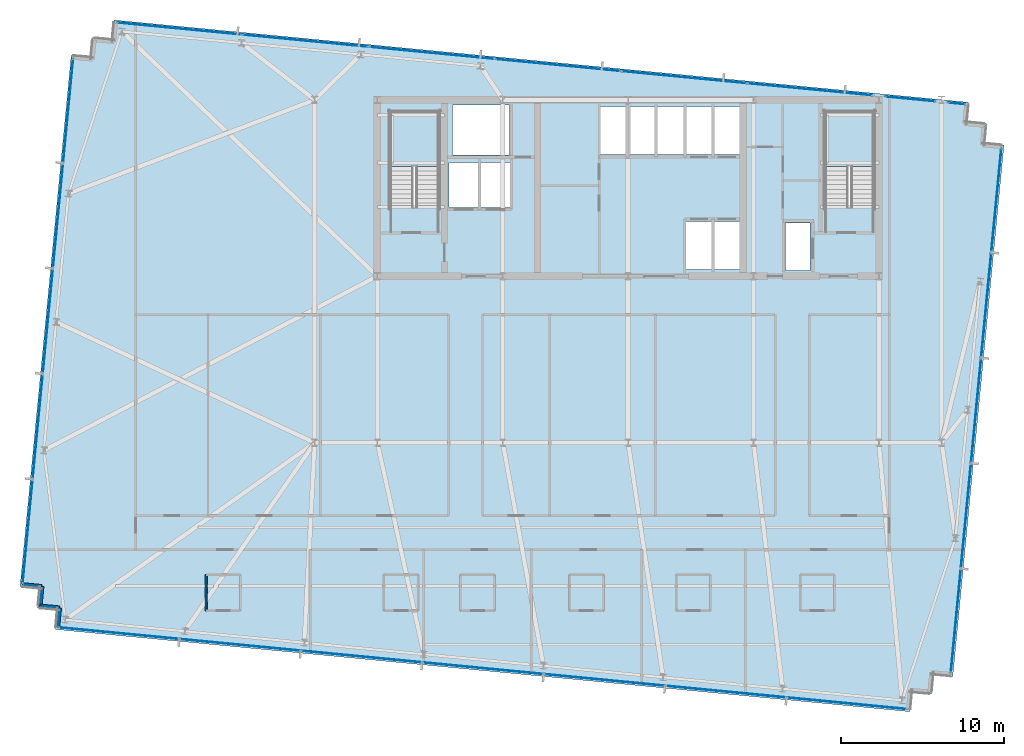
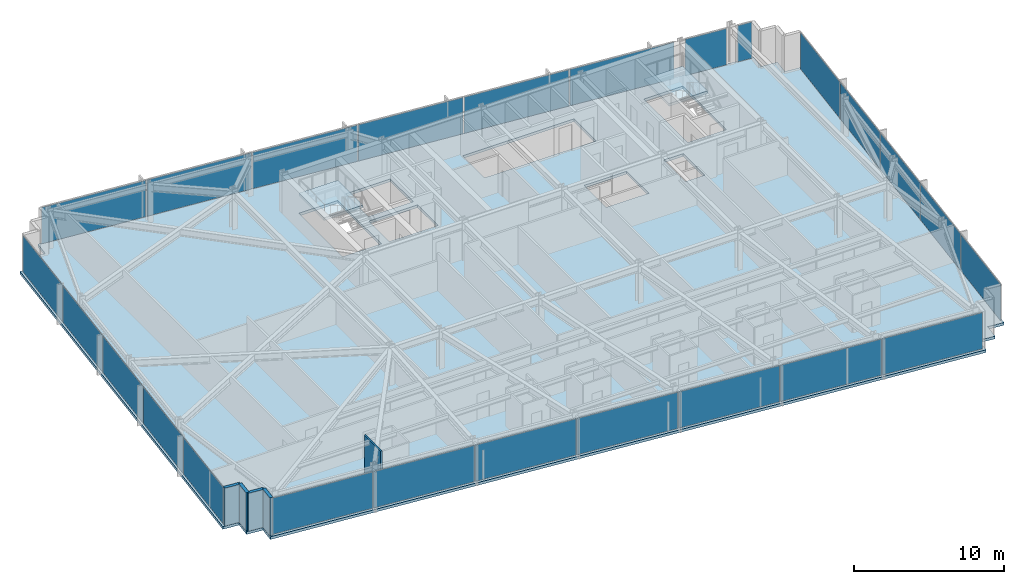
# One storey, part 28 of 36: 25 plates, 5 walls, 3 slabs, 8 elements without a shape of their own.
"""IFC4 building model written with IfcOpenShell, lengths in metres."""

from ifc_helpers import new_model, si_unit, direction, frame, frame_2d, origin, origin_2d, place, context, subcontext, project, spatial, polyline, rectangle, outline, extrude, material, layer, layer_set, type_object, element, aggregate, save


model = new_model("IFC4")

# Units and contexts
model_context = context("Model", 3, precision=1e-05, world=origin(), true_north=direction((0.0, 1.0)))
body_context = subcontext(model_context, "Body", "Model", "MODEL_VIEW")
ifc_project = project(units=[si_unit("LENGTHUNIT", "METRE"), si_unit("AREAUNIT", "SQUARE_METRE"), si_unit("VOLUMEUNIT", "CUBIC_METRE"), si_unit("PLANEANGLEUNIT", "RADIAN"), si_unit("MASSUNIT", "GRAM", prefix="KILO")], contexts=[model_context])

# Site, building, storey
site_placement = place(None, origin())
site = spatial("IfcSite", under=ifc_project, at=site_placement, CompositionType="ELEMENT")
building_placement = place(site_placement, origin())
building = spatial("IfcBuilding", under=site, at=building_placement, Name="Yelkora Congress Tower", CompositionType="ELEMENT")
storey_placement = place(building_placement, frame((0.0, 0.0, 152.300048828125)))
storey = spatial("IfcBuildingStorey", under=building, at=storey_placement, Name="L41", CompositionType="ELEMENT", Elevation=152.300048828125)

# Curtain wall, plates
ifc_material_1 = material(Name="Anodised aluminium and insulated glass", Category="aluminium")
curtain_wall_type = type_object("IfcCurtainWallType", Name="CW-SYS-B3", PredefinedType="NOTDEFINED", material=ifc_material_1)
curtain_wall_1_placement = place(storey_placement, origin())
curtain_wall_1 = element("IfcCurtainWall", 1, at=curtain_wall_1_placement, inside=storey, type_object=curtain_wall_type, Name="L41 Unitised Curtain Wall 5", PredefinedType="NOTDEFINED")
ifc_material_2 = material(Name="Acoustic laminated hotel glass unit B3", Category="glass")
ifc_layer_1 = layer(ifc_material_2, 0.0419921875)
ifc_layer_set_1 = layer_set([ifc_layer_1], Name="Acoustic laminated hotel glass unit B3")
plate_type = type_object("IfcPlateType", Name="PLT-PN-B3", PredefinedType="CURTAIN_PANEL", material=ifc_layer_set_1)
plate_1_placement = place(storey_placement, frame((1.61572265625, 19.75244140625, 0.06005859375), z_axis=(0.0, 0.0, 1.0), x_axis=(0.095845294465, 0.995396242473, 0.0)))
plate_1 = element("IfcPlate", 2, at=plate_1_placement, type_object=plate_type, Name="CW-B3 panel 1.1", PredefinedType="CURTAIN_PANEL", context=body_context, shape_type="SweptSolid", body=[
    extrude(rectangle(XDim=6.37890625, YDim=0.0419921875, at=origin_2d()), origin(), (0.0, 0.0, 1.0), 2.9599609375),
])
plate_2_placement = place(storey_placement, frame((2.235595703125, 26.189208984375, 0.06005859375), z_axis=(0.0, 0.0, 1.0), x_axis=(0.095845294465, 0.995396242473, 0.0)))
plate_2 = element("IfcPlate", 3, at=plate_2_placement, type_object=plate_type, Name="CW-B3 panel 2.1", PredefinedType="CURTAIN_PANEL", context=body_context, shape_type="SweptSolid", body=[
    extrude(rectangle(XDim=6.4140625, YDim=0.0419921875, at=origin_2d()), origin(), (0.0, 0.0, 1.0), 2.9599609375),
])
plate_3_placement = place(storey_placement, frame((2.85693359375, 32.643310546875, 0.06005859375), z_axis=(0.0, 0.0, 1.0), x_axis=(0.095845294465, 0.995396242473, 0.0)))
plate_3 = element("IfcPlate", 4, at=plate_3_placement, type_object=plate_type, Name="CW-B3 panel 3.1", PredefinedType="CURTAIN_PANEL", context=body_context, shape_type="SweptSolid", body=[
    extrude(rectangle(XDim=6.4140625, YDim=0.0419921875, at=origin_2d()), origin(), (0.0, 0.0, 1.0), 2.9599609375),
])
plate_4_placement = place(storey_placement, frame((3.478515625, 39.097412109375, 0.06005859375), z_axis=(0.0, 0.0, 1.0), x_axis=(0.095845294465, 0.995396242473, 0.0)))
plate_4 = element("IfcPlate", 5, at=plate_4_placement, type_object=plate_type, Name="CW-B3 panel 4.1", PredefinedType="CURTAIN_PANEL", context=body_context, shape_type="SweptSolid", body=[
    extrude(rectangle(XDim=6.4140625, YDim=0.0419921875, at=origin_2d()), origin(), (0.0, 0.0, 1.0), 2.9599609375),
])
plate_5_placement = place(storey_placement, frame((4.09814453125, 45.5341796875, 0.06005859375), z_axis=(0.0, 0.0, 1.0), x_axis=(0.095845294465, 0.995396242473, 0.0)))
plate_5 = element("IfcPlate", 6, at=plate_5_placement, type_object=plate_type, Name="CW-B3 panel 5.1", PredefinedType="CURTAIN_PANEL", context=body_context, shape_type="SweptSolid", body=[
    extrude(rectangle(XDim=6.37890625, YDim=0.0419921875, at=origin_2d()), origin(), (0.0, 0.0, 1.0), 2.9599609375),
])
aggregate(curtain_wall_1, [plate_1, plate_2, plate_3, plate_4, plate_5])

curtain_wall_2_placement = place(storey_placement, origin())
curtain_wall_2 = element("IfcCurtainWall", 7, at=curtain_wall_2_placement, inside=storey, type_object=curtain_wall_type, Name="L41 Unitised Curtain Wall 10 (1)", PredefinedType="NOTDEFINED")
plate_6_placement = place(storey_placement, frame((10.913818359375, 50.5634765625, 0.06005859375), z_axis=(0.0, 0.0, 1.0), x_axis=(0.995396293823, -0.095844761168, 0.0)))
plate_6 = element("IfcPlate", 8, at=plate_6_placement, type_object=plate_type, Name="CW-B3 panel 1.1", PredefinedType="CURTAIN_PANEL", context=body_context, shape_type="SweptSolid", body=[
    extrude(rectangle(XDim=7.664306640625, YDim=0.0419921875, at=origin_2d()), origin(), (0.0, 0.0, 1.0), 2.9599609375),
])
plate_7_placement = place(storey_placement, frame((18.6298828125, 49.820556640625, 0.06005859375), z_axis=(0.0, 0.0, 1.0), x_axis=(0.995396293823, -0.095844761168, 0.0)))
plate_7 = element("IfcPlate", 9, at=plate_7_placement, type_object=plate_type, Name="CW-B3 panel 2.1", PredefinedType="CURTAIN_PANEL", context=body_context, shape_type="SweptSolid", body=[
    extrude(rectangle(XDim=7.69921875, YDim=0.0419921875, at=origin_2d()), origin(), (0.0, 0.0, 1.0), 2.9599609375),
])
plate_8_placement = place(storey_placement, frame((26.363525390625, 49.075927734375, 0.06005859375), z_axis=(0.0, 0.0, 1.0), x_axis=(0.995396293823, -0.095844761168, 0.0)))
plate_8 = element("IfcPlate", 10, at=plate_8_placement, type_object=plate_type, Name="CW-B3 panel 3.1", PredefinedType="CURTAIN_PANEL", context=body_context, shape_type="SweptSolid", body=[
    extrude(rectangle(XDim=7.69921875, YDim=0.0419921875, at=origin_2d()), origin(), (0.0, 0.0, 1.0), 2.9599609375),
])
plate_9_placement = place(storey_placement, frame((34.09716796875, 48.331298828125, 0.06005859375), z_axis=(0.0, 0.0, 1.0), x_axis=(0.995396293823, -0.095844761168, 0.0)))
plate_9 = element("IfcPlate", 11, at=plate_9_placement, type_object=plate_type, Name="CW-B3 panel 4.1", PredefinedType="CURTAIN_PANEL", context=body_context, shape_type="SweptSolid", body=[
    extrude(rectangle(XDim=7.69921875, YDim=0.0419921875, at=origin_2d()), origin(), (0.0, 0.0, 1.0), 2.9599609375),
])
plate_10_placement = place(storey_placement, frame((41.83056640625, 47.586669921875, 0.06005859375), z_axis=(0.0, 0.0, 1.0), x_axis=(0.995396293823, -0.095844761168, 0.0)))
plate_10 = element("IfcPlate", 12, at=plate_10_placement, type_object=plate_type, Name="CW-B3 panel 5.1", PredefinedType="CURTAIN_PANEL", context=body_context, shape_type="SweptSolid", body=[
    extrude(rectangle(XDim=7.69921875, YDim=0.0419921875, at=origin_2d()), origin(), (0.0, 0.0, 1.0), 2.9599609375),
])
plate_11_placement = place(storey_placement, frame((49.546875, 46.84375, 0.06005859375), z_axis=(0.0, 0.0, 1.0), x_axis=(0.995396293823, -0.095844761168, 0.0)))
plate_11 = element("IfcPlate", 13, at=plate_11_placement, type_object=plate_type, Name="CW-B3 panel 6.1", PredefinedType="CURTAIN_PANEL", context=body_context, shape_type="SweptSolid", body=[
    extrude(rectangle(XDim=7.664306640625, YDim=0.0419921875, at=origin_2d()), origin(), (0.0, 0.0, 1.0), 2.9599609375),
])
aggregate(curtain_wall_2, [plate_6, plate_7, plate_8, plate_9, plate_10, plate_11])

# Curtain wall, plate
curtain_wall_3_placement = place(storey_placement, origin())
curtain_wall_3 = element("IfcCurtainWall", 14, at=curtain_wall_3_placement, inside=storey, type_object=curtain_wall_type, Name="L41 Unitised Curtain Wall 10 (2)", PredefinedType="NOTDEFINED")
plate_12_placement = place(storey_placement, frame((55.679931640625, 46.253173828125, 0.06005859375), z_axis=(0.0, 0.0, 1.0), x_axis=(0.995395952188, -0.095848309157, 0.0)))
plate_12 = element("IfcPlate", 15, at=plate_12_placement, type_object=plate_type, Name="CW-B3 panel 1.1", PredefinedType="CURTAIN_PANEL", context=body_context, shape_type="SweptSolid", body=[
    extrude(rectangle(XDim=3.056640625, YDim=0.0419921875, at=origin_2d()), origin(), (0.0, 0.0, 1.0), 2.9599609375),
])
aggregate(curtain_wall_3, [plate_12])

curtain_wall_4_placement = place(storey_placement, origin())
curtain_wall_4 = element("IfcCurtainWall", 16, at=curtain_wall_4_placement, inside=storey, type_object=curtain_wall_type, Name="L41 Unitised Curtain Wall 10 (3)", PredefinedType="NOTDEFINED")
plate_13_placement = place(storey_placement, frame((58.518798828125, 45.979736328125, 0.06005859375), z_axis=(0.0, 0.0, 1.0), x_axis=(0.995395569658, -0.095852281686, 0.0)))
plate_13 = element("IfcPlate", 17, at=plate_13_placement, type_object=plate_type, Name="CW-B3 panel 1.1", PredefinedType="CURTAIN_PANEL", context=body_context, shape_type="SweptSolid", body=[
    extrude(rectangle(XDim=1.045166015625, YDim=0.0419921875, at=origin_2d()), origin(), (0.0, 0.0, 1.0), 2.9599609375),
])
aggregate(curtain_wall_4, [plate_13])

# Curtain wall, plates
curtain_wall_5_placement = place(storey_placement, origin())
curtain_wall_5 = element("IfcCurtainWall", 18, at=curtain_wall_5_placement, inside=storey, type_object=curtain_wall_type, Name="L41 Unitised Curtain Wall 15", PredefinedType="NOTDEFINED")
plate_14_placement = place(storey_placement, frame((60.955322265625, 40.0595703125, 0.06005859375), z_axis=(0.0, 0.0, 1.0), x_axis=(-0.095841944023, -0.995396565076, 0.0)))
plate_14 = element("IfcPlate", 19, at=plate_14_placement, type_object=plate_type, Name="CW-B3 panel 1.1", PredefinedType="CURTAIN_PANEL", context=body_context, shape_type="SweptSolid", body=[
    extrude(rectangle(XDim=6.37890625, YDim=0.0419921875, at=origin_2d()), origin(), (0.0, 0.0, 1.0), 2.9599609375),
])
plate_15_placement = place(storey_placement, frame((60.33544921875, 33.622802734375, 0.06005859375), z_axis=(0.0, 0.0, 1.0), x_axis=(-0.095841944023, -0.995396565076, 0.0)))
plate_15 = element("IfcPlate", 20, at=plate_15_placement, type_object=plate_type, Name="CW-B3 panel 2.1", PredefinedType="CURTAIN_PANEL", context=body_context, shape_type="SweptSolid", body=[
    extrude(rectangle(XDim=6.4140625, YDim=0.0419921875, at=origin_2d()), origin(), (0.0, 0.0, 1.0), 2.9599609375),
])
plate_16_placement = place(storey_placement, frame((59.714111328125, 27.168701171875, 0.06005859375), z_axis=(0.0, 0.0, 1.0), x_axis=(-0.095841944023, -0.995396565076, 0.0)))
plate_16 = element("IfcPlate", 21, at=plate_16_placement, type_object=plate_type, Name="CW-B3 panel 3.1", PredefinedType="CURTAIN_PANEL", context=body_context, shape_type="SweptSolid", body=[
    extrude(rectangle(XDim=6.4140625, YDim=0.0419921875, at=origin_2d()), origin(), (0.0, 0.0, 1.0), 2.9599609375),
])
plate_17_placement = place(storey_placement, frame((59.092529296875, 20.71435546875, 0.06005859375), z_axis=(0.0, 0.0, 1.0), x_axis=(-0.095841944023, -0.995396565076, 0.0)))
plate_17 = element("IfcPlate", 22, at=plate_17_placement, type_object=plate_type, Name="CW-B3 panel 4.1", PredefinedType="CURTAIN_PANEL", context=body_context, shape_type="SweptSolid", body=[
    extrude(rectangle(XDim=6.4140625, YDim=0.0419921875, at=origin_2d()), origin(), (0.0, 0.0, 1.0), 2.9599609375),
])
plate_18_placement = place(storey_placement, frame((58.472900390625, 14.277587890625, 0.06005859375), z_axis=(0.0, 0.0, 1.0), x_axis=(-0.095841944023, -0.995396565076, 0.0)))
plate_18 = element("IfcPlate", 23, at=plate_18_placement, type_object=plate_type, Name="CW-B3 panel 5.1", PredefinedType="CURTAIN_PANEL", context=body_context, shape_type="SweptSolid", body=[
    extrude(rectangle(XDim=6.37890625, YDim=0.0419921875, at=origin_2d()), origin(), (0.0, 0.0, 1.0), 2.9599609375),
])
aggregate(curtain_wall_5, [plate_14, plate_15, plate_16, plate_17, plate_18])

curtain_wall_6_placement = place(storey_placement, origin())
curtain_wall_6 = element("IfcCurtainWall", 24, at=curtain_wall_6_placement, inside=storey, type_object=curtain_wall_type, Name="L41 Unitised Curtain Wall 20", PredefinedType="NOTDEFINED")
plate_19_placement = place(storey_placement, frame((51.803955078125, 9.234130859375, 0.06005859375), z_axis=(0.0, 0.0, 1.0), x_axis=(-0.995396301573, 0.095844680679, 0.0)))
plate_19 = element("IfcPlate", 25, at=plate_19_placement, type_object=plate_type, Name="CW-B3 panel 1.1", PredefinedType="CURTAIN_PANEL", context=body_context, shape_type="SweptSolid", body=[
    extrude(rectangle(XDim=7.369384765625, YDim=0.0419921875, at=origin_2d()), origin(), (0.0, 0.0, 1.0), 2.9599609375),
])
plate_20_placement = place(storey_placement, frame((44.381591796875, 9.948974609375, 0.06005859375), z_axis=(0.0, 0.0, 1.0), x_axis=(-0.995396301573, 0.095844680679, 0.0)))
plate_20 = element("IfcPlate", 26, at=plate_20_placement, type_object=plate_type, Name="CW-B3 panel 2.1", PredefinedType="CURTAIN_PANEL", context=body_context, shape_type="SweptSolid", body=[
    extrude(rectangle(XDim=7.404296875, YDim=0.0419921875, at=origin_2d()), origin(), (0.0, 0.0, 1.0), 2.9599609375),
])
plate_21_placement = place(storey_placement, frame((36.941650390625, 10.665283203125, 0.06005859375), z_axis=(0.0, 0.0, 1.0), x_axis=(-0.995396301573, 0.095844680679, 0.0)))
plate_21 = element("IfcPlate", 27, at=plate_21_placement, type_object=plate_type, Name="CW-B3 panel 3.1", PredefinedType="CURTAIN_PANEL", context=body_context, shape_type="SweptSolid", body=[
    extrude(rectangle(XDim=7.404296875, YDim=0.0419921875, at=origin_2d()), origin(), (0.0, 0.0, 1.0), 2.9599609375),
])
plate_22_placement = place(storey_placement, frame((29.501708984375, 11.381591796875, 0.06005859375), z_axis=(0.0, 0.0, 1.0), x_axis=(-0.995396301573, 0.095844680679, 0.0)))
plate_22 = element("IfcPlate", 28, at=plate_22_placement, type_object=plate_type, Name="CW-B3 panel 4.1", PredefinedType="CURTAIN_PANEL", context=body_context, shape_type="SweptSolid", body=[
    extrude(rectangle(XDim=7.404296875, YDim=0.0419921875, at=origin_2d()), origin(), (0.0, 0.0, 1.0), 2.9599609375),
])
plate_23_placement = place(storey_placement, frame((22.06201171875, 12.097900390625, 0.06005859375), z_axis=(0.0, 0.0, 1.0), x_axis=(-0.995396301573, 0.095844680679, 0.0)))
plate_23 = element("IfcPlate", 29, at=plate_23_placement, type_object=plate_type, Name="CW-B3 panel 5.1", PredefinedType="CURTAIN_PANEL", context=body_context, shape_type="SweptSolid", body=[
    extrude(rectangle(XDim=7.404296875, YDim=0.0419921875, at=origin_2d()), origin(), (0.0, 0.0, 1.0), 2.9599609375),
])
plate_24_placement = place(storey_placement, frame((14.6220703125, 12.814453125, 0.06005859375), z_axis=(0.0, 0.0, 1.0), x_axis=(-0.995396301573, 0.095844680679, 0.0)))
plate_24 = element("IfcPlate", 30, at=plate_24_placement, type_object=plate_type, Name="CW-B3 panel 6.1", PredefinedType="CURTAIN_PANEL", context=body_context, shape_type="SweptSolid", body=[
    extrude(rectangle(XDim=7.404296875, YDim=0.0419921875, at=origin_2d()), origin(), (0.0, 0.0, 1.0), 2.9599609375),
])
plate_25_placement = place(storey_placement, frame((7.199462890625, 13.529052734375, 0.06005859375), z_axis=(0.0, 0.0, 1.0), x_axis=(-0.995396301573, 0.095844680679, 0.0)))
plate_25 = element("IfcPlate", 31, at=plate_25_placement, type_object=plate_type, Name="CW-B3 panel 7.1", PredefinedType="CURTAIN_PANEL", context=body_context, shape_type="SweptSolid", body=[
    extrude(rectangle(XDim=7.369384765625, YDim=0.0419921875, at=origin_2d()), origin(), (0.0, 0.0, 1.0), 2.9599609375),
])
aggregate(curtain_wall_6, [plate_19, plate_20, plate_21, plate_22, plate_23, plate_24, plate_25])

# Stair, slab
ifc_material_3 = material(Name="Concrete C40/50", Category="concrete")
stair_type = type_object("IfcStairType", Name="STAIR-HT-1420-R20-165", PredefinedType="HALF_TURN_STAIR", material=ifc_material_3)
stair_1_placement = place(storey_placement, origin())
stair_1 = element("IfcStair", 32, at=stair_1_placement, inside=storey, type_object=stair_type, Name="West Core Protected Exit Stair ST-01 (L41)", PredefinedType="HALF_TURN_STAIR")
ifc_layer_2 = layer(ifc_material_3, 0.219970703125)
ifc_layer_set_2 = layer_set([ifc_layer_2], Name="Concrete C40/50")
slab_type_1 = type_object("IfcSlabType", Name="SLAB-LANDING-220", PredefinedType="LANDING", material=ifc_layer_set_2)
slab_1_placement = place(storey_placement, frame((0.0, 0.0, 1.429931640625)))
slab_1 = element("IfcSlab", 33, at=slab_1_placement, type_object=slab_type_1, Name="ST-01 L41 Half Landing 1", PredefinedType="LANDING", context=body_context, shape_type="SweptSolid", body=[
    extrude(outline(polyline([(26.820068359375, 42.1201171875), (26.820068359375, 45.469970703125), (23.820068359375, 45.469970703125), (23.820068359375, 42.1201171875), (26.820068359375, 42.1201171875)])), origin(), (0.0, 0.0, 1.0), 0.219970703125),
])
aggregate(stair_1, [slab_1])

stair_2_placement = place(storey_placement, origin())
stair_2 = element("IfcStair", 34, at=stair_2_placement, inside=storey, type_object=stair_type, Name="East Core Protected Exit Stair ST-02 (L41)", PredefinedType="HALF_TURN_STAIR")
slab_2_placement = place(storey_placement, frame((0.0, 0.0, 1.429931640625)))
slab_2 = element("IfcSlab", 35, at=slab_2_placement, type_object=slab_type_1, Name="ST-02 L41 Half Landing 1", PredefinedType="LANDING", context=body_context, shape_type="SweptSolid", body=[
    extrude(outline(polyline([(53.4599609375, 42.1201171875), (53.4599609375, 45.469970703125), (50.4599609375, 45.469970703125), (50.4599609375, 42.1201171875), (53.4599609375, 42.1201171875)])), origin(), (0.0, 0.0, 1.0), 0.219970703125),
])
aggregate(stair_2, [slab_2])

# Slab
ifc_layer_3 = layer(ifc_material_3, 0.219970703125)
ifc_layer_set_3 = layer_set([ifc_layer_3], Name="Concrete C40/50")
slab_type_2 = type_object("IfcSlabType", Name="SLAB-TWR-220", PredefinedType="FLOOR", material=ifc_layer_set_3)
slab_3_placement = place(storey_placement, frame((0.0, 0.0, -0.219970703125)))
element("IfcSlab", 36, at=slab_3_placement, inside=storey, type_object=slab_type_2, Name="L41 Structural Floor Slab", PredefinedType="FLOOR", context=body_context, shape_type="SweptSolid", body=[
    extrude(outline(polyline([(3.309326171875, 13.762939453125), (55.667236328125, 8.721435546875), (55.7822265625, 9.916015625), (56.976806640625, 9.801025390625), (57.091796875, 10.99560546875), (58.286376953125, 10.88037109375), (61.42041015625, 43.429931640625), (60.225830078125, 43.544921875), (60.341064453125, 44.739501953125), (59.146484375, 44.8544921875), (59.261474609375, 46.048828125), (6.90380859375, 51.09033203125), (6.78857421875, 49.89599609375), (5.59423828125, 50.010986328125), (5.479248046875, 48.81640625), (4.28466796875, 48.931396484375), (1.150390625, 16.382080078125), (2.344970703125, 16.26708984375), (2.22998046875, 15.072509765625), (3.424560546875, 14.95751953125), (3.309326171875, 13.762939453125)]), holes=[polyline([(23.820068359375, 39.6298828125), (26.820068359375, 39.6298828125), (26.820068359375, 45.469970703125), (23.820068359375, 45.469970703125), (23.820068359375, 39.6298828125)]), polyline([(50.4599609375, 39.6298828125), (53.4599609375, 39.6298828125), (53.4599609375, 45.469970703125), (50.4599609375, 45.469970703125), (50.4599609375, 39.6298828125)]), polyline([(48.050048828125, 35.75), (49.550048828125, 35.75), (49.550048828125, 38.64990234375), (48.050048828125, 38.64990234375), (48.050048828125, 35.75)]), polyline([(36.64990234375, 42.85009765625), (45.25, 42.85009765625), (45.25, 45.800048828125), (36.64990234375, 45.800048828125), (36.64990234375, 42.85009765625)]), polyline([(41.949951171875, 35.800048828125), (45.25, 35.800048828125), (45.25, 38.75), (41.949951171875, 38.75), (41.949951171875, 35.800048828125)]), polyline([(27.419921875, 39.60009765625), (31.179931640625, 39.60009765625), (31.179931640625, 42.35009765625), (27.419921875, 42.35009765625), (27.419921875, 39.60009765625)]), polyline([(27.64990234375, 42.820068359375), (31.1201171875, 42.820068359375), (31.1201171875, 45.8798828125), (27.64990234375, 45.8798828125), (27.64990234375, 42.820068359375)])]), origin(), (0.0, 0.0, 1.0), 0.219970703125),
])

# Walls
ifc_layer_4 = layer(ifc_material_3, 0.239990234375)
ifc_layer_set_4 = layer_set([ifc_layer_4], Name="Concrete C40/50")
wall_type_1 = type_object("IfcWallType", Name="WALL-EXT-LIMESTONE-240", PredefinedType="SOLIDWALL", material=ifc_layer_set_4)
for number, where, z_axis, x_axis, name in (
    (37, (3.462158203125, 13.888916015625, 0.0), (0.0, 0.0, 1.0), (0.096018626938, 0.995379537303, 0.0), "L41 Serrated Corner Limestone Pier 1"),
    (38, (3.577392578125, 15.08349609375, 0.0), (0.0, 0.0, 1.0), (-0.995398960025, 0.095817067274, 0.0), "L41 Serrated Corner Limestone Pier 2"),
):
    element("IfcWall", number, at=place(storey_placement, frame(where, z_axis=z_axis, x_axis=x_axis)), inside=storey, type_object=wall_type_1, Name=name, PredefinedType="SOLIDWALL", context=body_context, shape_type="SweptSolid", body=[
        extrude(rectangle(XDim=1.2001953125, YDim=0.239990234375, at=frame_2d((0.60009765625, 0.0))), origin(), (0.0, 0.0, 1.0), 3.079833984375),
    ])
wall_1_placement = place(storey_placement, frame((2.3828125, 15.198486328125, 0.0), z_axis=(0.0, 0.0, 1.0), x_axis=(0.095836473879, 0.995397091755, 0.0)))
element("IfcWall", 39, at=wall_1_placement, inside=storey, type_object=wall_type_1, Name="L41 Serrated Corner Limestone Pier 3", PredefinedType="SOLIDWALL", context=body_context, shape_type="SweptSolid", body=[
    extrude(rectangle(XDim=1.199951171875, YDim=0.239990234375, at=frame_2d((0.60009765625, 0.0))), origin(), (0.0, 0.0, 1.0), 3.079833984375),
])
wall_2_placement = place(storey_placement, frame((2.497802734375, 16.392822265625, 0.0), z_axis=(0.0, 0.0, 1.0), x_axis=(-0.995398960025, 0.095817067274, 0.0)))
element("IfcWall", 40, at=wall_2_placement, inside=storey, type_object=wall_type_1, Name="L41 Serrated Corner Limestone Pier 4", PredefinedType="SOLIDWALL", context=body_context, shape_type="SweptSolid", body=[
    extrude(rectangle(XDim=1.2001953125, YDim=0.239990234375, at=frame_2d((0.60009765625, 0.0))), origin(), (0.0, 0.0, 1.0), 3.079833984375),
])
ifc_material_4 = material(Name="Moisture-resistant gypsum partition", Category="gypsum")
ifc_layer_5 = layer(ifc_material_4, 0.1201171875)
ifc_layer_set_5 = layer_set([ifc_layer_5], Name="Moisture-resistant gypsum partition")
wall_type_2 = type_object("IfcWallType", Name="WALL-INT-120-NR", PredefinedType="PARTITIONING", material=ifc_layer_set_5)
wall_3_placement = place(storey_placement, frame((12.5458984375, 14.89990234375, 0.0), z_axis=(0.0, 0.0, 1.0), x_axis=(0.0, 1.0, 0.0)))
element("IfcWall", 41, at=wall_3_placement, inside=storey, type_object=wall_type_2, Name="L41 Partition Wall 28", PredefinedType="PARTITIONING", context=body_context, shape_type="SweptSolid", body=[
    extrude(rectangle(XDim=2.2001953125, YDim=0.1201171875, at=frame_2d((1.10009765625, 0.0))), origin(), (0.0, 0.0, 1.0), 3.079833984375),
])

save(model, "model.ifc")
